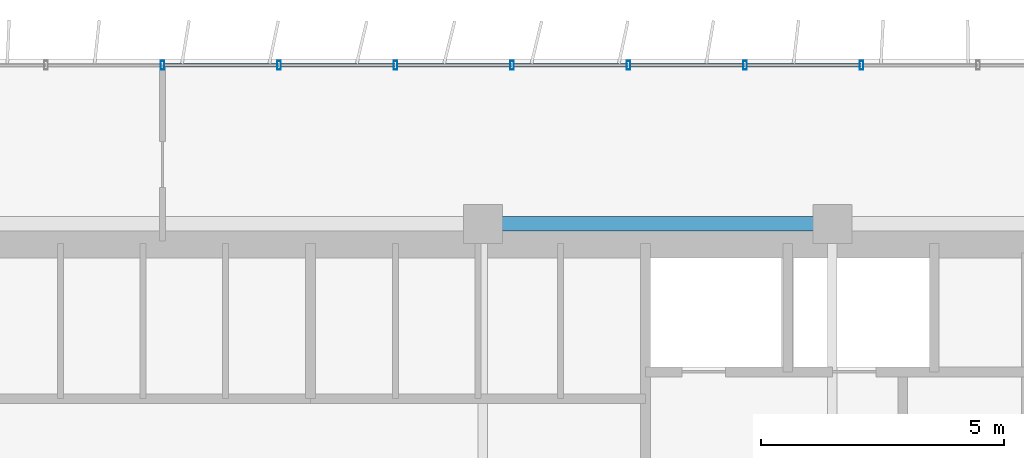
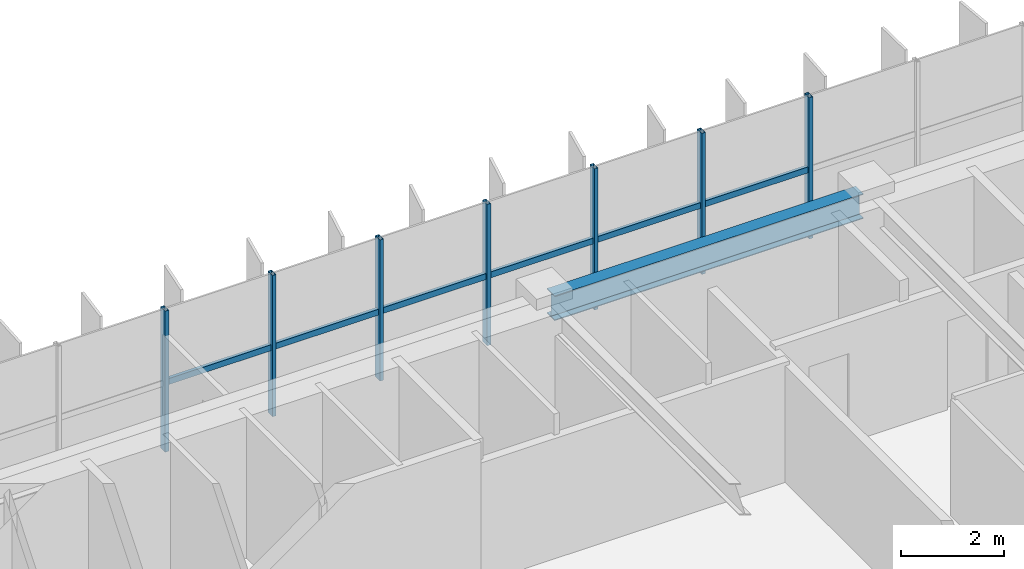
# One storey, part 9 of 22: 13 members, 1 beam, 1 element without a shape of its own.
"""IFC4 building model written with IfcOpenShell, lengths in metres."""

from ifc_helpers import new_model, si_unit, direction, frame, origin, origin_2d, place, context, subcontext, project, spatial, hollow_rectangle, i_section, extrude, source, transform, mapped, material, material_profile, profile_set, type_object, element, aggregate, save


model = new_model("IFC4")

# Units and contexts
model_context = context("Model", 3, precision=1e-05, world=origin(), true_north=direction((0.0, 1.0)))
body_context = subcontext(model_context, "Body", "Model", "MODEL_VIEW")
ifc_project = project(units=[si_unit("LENGTHUNIT", "METRE"), si_unit("AREAUNIT", "SQUARE_METRE"), si_unit("VOLUMEUNIT", "CUBIC_METRE"), si_unit("PLANEANGLEUNIT", "RADIAN"), si_unit("MASSUNIT", "GRAM", prefix="KILO")], contexts=[model_context])

# Site, building, storey
site_placement = place(None, origin())
site = spatial("IfcSite", under=ifc_project, at=site_placement, CompositionType="ELEMENT")
building_placement = place(site_placement, origin())
building = spatial("IfcBuilding", under=site, at=building_placement, Name="Trelvane Seafront Commons", CompositionType="ELEMENT")
storey_placement = place(building_placement, frame((0.0, 0.0, 88.89990234375)))
storey = spatial("IfcBuildingStorey", under=building, at=storey_placement, Name="L22", CompositionType="ELEMENT", Elevation=88.89990234375)

# Beam
ifc_material_1 = material(Name="Steel SM355 (S355)", Category="steel")
ifc_material_profile_1 = material_profile(ifc_material_1, i_section(OverallWidth=0.300048828125, OverallDepth=0.587890625, WebThickness=0.011962890625, FlangeThickness=0.02001953125, at=origin_2d()), Name="H-588x300x12x20")
ifc_profile_set_1 = profile_set([ifc_material_profile_1], Name="Steel SM355 (S355)")
beam_type = type_object("IfcBeamType", Name="STR-BM-H588", PredefinedType="BEAM", material=ifc_profile_set_1)
shared_shape_1 = source(origin(), body_context, "Body", "SweptSolid", [
    extrude(i_section(OverallWidth=0.300048828125, OverallDepth=0.587890625, WebThickness=0.011962890625, FlangeThickness=0.02001953125, at=origin_2d()), origin(), (0.0, 0.0, 1.0), 6.900146484375),
])
beam_placement = place(storey_placement, frame((43.949951171875, 45.10009765625, 3.046142578125), z_axis=(1.0, 0.0, 0.0), x_axis=(0.0, 1.0, 0.0)))
element("IfcBeam", 1, at=beam_placement, inside=storey, type_object=beam_type, Name="L22 Primary Girder G-33", PredefinedType="BEAM", context=body_context, shape_type="MappedRepresentation", body=[
    mapped(shared_shape_1, transform((0.0, 0.0, 0.0), x_axis=(1.0, 0.0, 0.0), y_axis=(0.0, 1.0, 0.0), z_axis=(0.0, 0.0, 1.0), scale=1.0)),
])

# Curtain wall, members
ifc_material_2 = material(Name="Anodised pale-silver aluminium", Category="aluminium")
curtain_wall_type = type_object("IfcCurtainWallType", Name="ARCH-CW4-SKYLOBBY", PredefinedType="NOTDEFINED", material=ifc_material_2)
curtain_wall_placement = place(storey_placement, origin())
curtain_wall = element("IfcCurtainWall", 2, at=curtain_wall_placement, inside=storey, type_object=curtain_wall_type, Name="CW-L22-0047", PredefinedType="NOTDEFINED")
ifc_material_profile_2 = material_profile(ifc_material_2, hollow_rectangle(XDim=0.074951171875, YDim=0.139892578125, WallThickness=0.00390625, at=origin_2d()), Name="TRAN-75x140x4")
ifc_profile_set_2 = profile_set([ifc_material_profile_2], Name="Anodised pale-silver aluminium")
member_type_1 = type_object("IfcMemberType", Name="ARCH-CW-TRAN-140", PredefinedType="USERDEFINED", material=ifc_profile_set_2)
shared_shape_2 = source(origin(), body_context, "Body", "SweptSolid", [
    extrude(hollow_rectangle(XDim=0.074951171875, YDim=0.139892578125, WallThickness=0.00390625, at=origin_2d()), origin(), (0.0, 0.0, 1.0), 2.3759765625),
])
member_1_placement = place(storey_placement, frame((37.2119140625, 48.3701171875, 1.60302734375), z_axis=(1.0, 0.0, 0.0), x_axis=(0.0, 1.0, 0.0)))
member_1 = element("IfcMember", 3, at=member_1_placement, type_object=member_type_1, Name="CW-L22-0047-T09", ObjectType="TRANSOM", PredefinedType="USERDEFINED", context=body_context, shape_type="MappedRepresentation", body=[
    mapped(shared_shape_2, transform((0.0, 0.0, 0.0), x_axis=(1.0, 0.0, 0.0), y_axis=(0.0, 1.0, 0.0), z_axis=(0.0, 0.0, 1.0), scale=1.0)),
])
member_2_placement = place(storey_placement, frame((39.612060546875, 48.3701171875, 1.60302734375), z_axis=(1.0, 0.0, 0.0), x_axis=(0.0, 1.0, 0.0)))
member_2 = element("IfcMember", 4, at=member_2_placement, type_object=member_type_1, Name="CW-L22-0047-T10", ObjectType="TRANSOM", PredefinedType="USERDEFINED", context=body_context, shape_type="MappedRepresentation", body=[
    mapped(shared_shape_2, transform((0.0, 0.0, 0.0), x_axis=(1.0, 0.0, 0.0), y_axis=(0.0, 1.0, 0.0), z_axis=(0.0, 0.0, 1.0), scale=1.0)),
])
member_3_placement = place(storey_placement, frame((42.011962890625, 48.3701171875, 1.60302734375), z_axis=(1.0, 0.0, 0.0), x_axis=(0.0, 1.0, 0.0)))
member_3 = element("IfcMember", 5, at=member_3_placement, type_object=member_type_1, Name="CW-L22-0047-T11", ObjectType="TRANSOM", PredefinedType="USERDEFINED", context=body_context, shape_type="MappedRepresentation", body=[
    mapped(shared_shape_2, transform((0.0, 0.0, 0.0), x_axis=(1.0, 0.0, 0.0), y_axis=(0.0, 1.0, 0.0), z_axis=(0.0, 0.0, 1.0), scale=1.0)),
])
member_4_placement = place(storey_placement, frame((44.412109375, 48.3701171875, 1.60302734375), z_axis=(1.0, 0.0, 0.0), x_axis=(0.0, 1.0, 0.0)))
member_4 = element("IfcMember", 6, at=member_4_placement, type_object=member_type_1, Name="CW-L22-0047-T12", ObjectType="TRANSOM", PredefinedType="USERDEFINED", context=body_context, shape_type="MappedRepresentation", body=[
    mapped(shared_shape_2, transform((0.0, 0.0, 0.0), x_axis=(1.0, 0.0, 0.0), y_axis=(0.0, 1.0, 0.0), z_axis=(0.0, 0.0, 1.0), scale=1.0)),
])
member_5_placement = place(storey_placement, frame((46.81201171875, 48.3701171875, 1.60302734375), z_axis=(1.0, 0.0, 0.0), x_axis=(0.0, 1.0, 0.0)))
member_5 = element("IfcMember", 7, at=member_5_placement, type_object=member_type_1, Name="CW-L22-0047-T13", ObjectType="TRANSOM", PredefinedType="USERDEFINED", context=body_context, shape_type="MappedRepresentation", body=[
    mapped(shared_shape_2, transform((0.0, 0.0, 0.0), x_axis=(1.0, 0.0, 0.0), y_axis=(0.0, 1.0, 0.0), z_axis=(0.0, 0.0, 1.0), scale=1.0)),
])
member_6_placement = place(storey_placement, frame((49.2119140625, 48.3701171875, 1.60302734375), z_axis=(1.0, 0.0, 0.0), x_axis=(0.0, 1.0, 0.0)))
member_6 = element("IfcMember", 8, at=member_6_placement, type_object=member_type_1, Name="CW-L22-0047-T14", ObjectType="TRANSOM", PredefinedType="USERDEFINED", context=body_context, shape_type="MappedRepresentation", body=[
    mapped(shared_shape_2, transform((0.0, 0.0, 0.0), x_axis=(1.0, 0.0, 0.0), y_axis=(0.0, 1.0, 0.0), z_axis=(0.0, 0.0, 1.0), scale=1.0)),
])
ifc_material_profile_3 = material_profile(ifc_material_2, hollow_rectangle(XDim=0.080078125, YDim=0.179931640625, WallThickness=0.00439453125, at=origin_2d()), Name="MULL-80x180x4.5")
ifc_profile_set_3 = profile_set([ifc_material_profile_3], Name="Anodised pale-silver aluminium")
member_type_2 = type_object("IfcMemberType", Name="ARCH-CW-MULL-180", PredefinedType="MULLION", material=ifc_profile_set_3)
shared_shape_3 = source(origin(), body_context, "Body", "SweptSolid", [
    extrude(hollow_rectangle(XDim=0.080078125, YDim=0.179931640625, WallThickness=0.00439453125, at=origin_2d()), origin(), (0.0, 0.0, 1.0), 3.340087890625),
])
member_7_placement = place(storey_placement, frame((37.199951171875, 48.3701171875, 0.0), z_axis=(0.0, 0.0, 1.0), x_axis=(1.0, 0.0, 0.0)))
member_7 = element("IfcMember", 9, at=member_7_placement, type_object=member_type_2, Name="CW-L22-0047-M09", PredefinedType="MULLION", context=body_context, shape_type="MappedRepresentation", body=[
    mapped(shared_shape_3, transform((0.0, 0.0, 0.0), x_axis=(1.0, 0.0, 0.0), y_axis=(0.0, 1.0, 0.0), z_axis=(0.0, 0.0, 1.0), scale=1.0)),
])
member_8_placement = place(storey_placement, frame((39.60009765625, 48.3701171875, 0.0), z_axis=(0.0, 0.0, 1.0), x_axis=(1.0, 0.0, 0.0)))
member_8 = element("IfcMember", 10, at=member_8_placement, type_object=member_type_2, Name="CW-L22-0047-M10", PredefinedType="MULLION", context=body_context, shape_type="MappedRepresentation", body=[
    mapped(shared_shape_3, transform((0.0, 0.0, 0.0), x_axis=(1.0, 0.0, 0.0), y_axis=(0.0, 1.0, 0.0), z_axis=(0.0, 0.0, 1.0), scale=1.0)),
])
member_9_placement = place(storey_placement, frame((42.0, 48.3701171875, 0.0), z_axis=(0.0, 0.0, 1.0), x_axis=(1.0, 0.0, 0.0)))
member_9 = element("IfcMember", 11, at=member_9_placement, type_object=member_type_2, Name="CW-L22-0047-M11", PredefinedType="MULLION", context=body_context, shape_type="MappedRepresentation", body=[
    mapped(shared_shape_3, transform((0.0, 0.0, 0.0), x_axis=(1.0, 0.0, 0.0), y_axis=(0.0, 1.0, 0.0), z_axis=(0.0, 0.0, 1.0), scale=1.0)),
])
member_10_placement = place(storey_placement, frame((44.39990234375, 48.3701171875, 0.0), z_axis=(0.0, 0.0, 1.0), x_axis=(1.0, 0.0, 0.0)))
member_10 = element("IfcMember", 12, at=member_10_placement, type_object=member_type_2, Name="CW-L22-0047-M12", PredefinedType="MULLION", context=body_context, shape_type="MappedRepresentation", body=[
    mapped(shared_shape_3, transform((0.0, 0.0, 0.0), x_axis=(1.0, 0.0, 0.0), y_axis=(0.0, 1.0, 0.0), z_axis=(0.0, 0.0, 1.0), scale=1.0)),
])
member_11_placement = place(storey_placement, frame((46.800048828125, 48.3701171875, 0.0), z_axis=(0.0, 0.0, 1.0), x_axis=(1.0, 0.0, 0.0)))
member_11 = element("IfcMember", 13, at=member_11_placement, type_object=member_type_2, Name="CW-L22-0047-M13", PredefinedType="MULLION", context=body_context, shape_type="MappedRepresentation", body=[
    mapped(shared_shape_3, transform((0.0, 0.0, 0.0), x_axis=(1.0, 0.0, 0.0), y_axis=(0.0, 1.0, 0.0), z_axis=(0.0, 0.0, 1.0), scale=1.0)),
])
member_12_placement = place(storey_placement, frame((49.199951171875, 48.3701171875, 0.0), z_axis=(0.0, 0.0, 1.0), x_axis=(1.0, 0.0, 0.0)))
member_12 = element("IfcMember", 14, at=member_12_placement, type_object=member_type_2, Name="CW-L22-0047-M14", PredefinedType="MULLION", context=body_context, shape_type="MappedRepresentation", body=[
    mapped(shared_shape_3, transform((0.0, 0.0, 0.0), x_axis=(1.0, 0.0, 0.0), y_axis=(0.0, 1.0, 0.0), z_axis=(0.0, 0.0, 1.0), scale=1.0)),
])
member_13_placement = place(storey_placement, frame((51.60009765625, 48.3701171875, 0.0), z_axis=(0.0, 0.0, 1.0), x_axis=(1.0, 0.0, 0.0)))
member_13 = element("IfcMember", 15, at=member_13_placement, type_object=member_type_2, Name="CW-L22-0047-M15", PredefinedType="MULLION", context=body_context, shape_type="MappedRepresentation", body=[
    mapped(shared_shape_3, transform((0.0, 0.0, 0.0), x_axis=(1.0, 0.0, 0.0), y_axis=(0.0, 1.0, 0.0), z_axis=(0.0, 0.0, 1.0), scale=1.0)),
])
aggregate(curtain_wall, [member_7, member_8, member_9, member_10, member_11, member_12, member_13, member_1, member_2, member_3, member_4, member_5, member_6])

save(model, "model.ifc")
